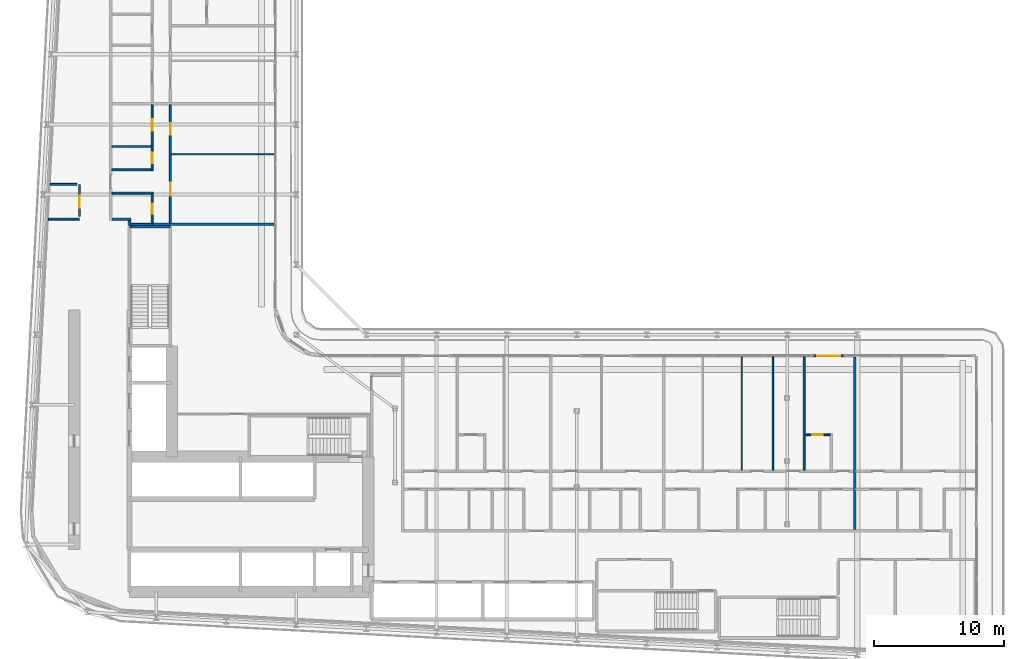
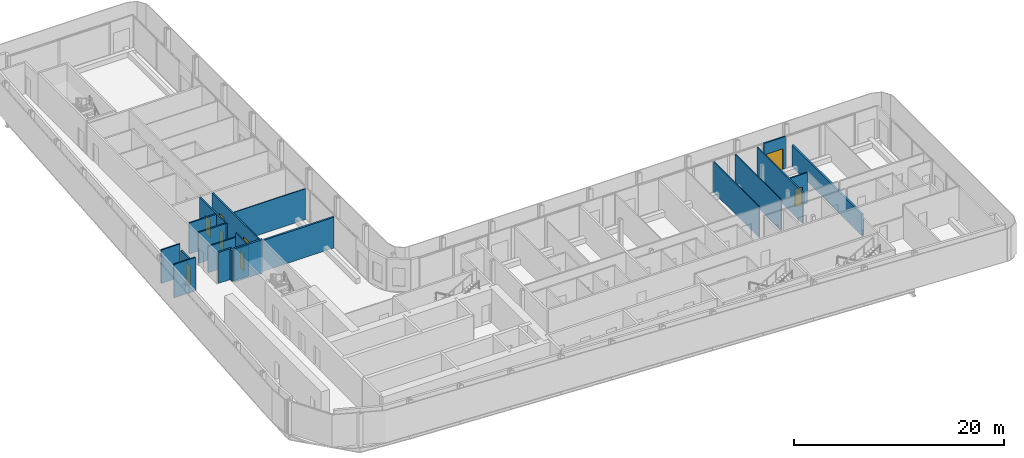
# One storey, part 15 of 25: 21 walls, 8 doors, 8 openings.
"""IFC4 building model written with IfcOpenShell, lengths in metres."""

from ifc_helpers import new_model, si_unit, direction, frame, frame_2d, origin, place, context, subcontext, project, spatial, rectangle, extrude, source, transform, mapped, material, layer, layer_set, type_object, element, fill, save


model = new_model("IFC4")

# Units and contexts
model_context = context("Model", 3, precision=1e-05, world=origin(), true_north=direction((0.0, 1.0)))
body_context = subcontext(model_context, "Body", "Model", "MODEL_VIEW")
ifc_project = project(units=[si_unit("LENGTHUNIT", "METRE"), si_unit("AREAUNIT", "SQUARE_METRE"), si_unit("VOLUMEUNIT", "CUBIC_METRE"), si_unit("PLANEANGLEUNIT", "RADIAN"), si_unit("MASSUNIT", "GRAM", prefix="KILO")], contexts=[model_context])

# Site, building, storey
site_placement = place(None, origin())
site = spatial("IfcSite", under=ifc_project, at=site_placement, CompositionType="ELEMENT")
building_placement = place(site_placement, origin())
building = spatial("IfcBuilding", under=site, at=building_placement, Name="Kheshtan School and Residences Tower", CompositionType="ELEMENT")
storey_placement = place(building_placement, frame((0.0, 0.0, 109.699951171875)))
storey = spatial("IfcBuildingStorey", under=building, at=storey_placement, Name="L25", CompositionType="ELEMENT", Elevation=109.699951171875)

# Walls
ifc_material_1 = material(Name="Gypsum board on steel studs with fire boards", Category="steel")
ifc_layer_1 = layer(ifc_material_1, 0.199951171875)
ifc_layer_set_1 = layer_set([ifc_layer_1], Name="Corridor wall 200")
wall_type_1 = type_object("IfcWallType", Name="Corridor wall 200", PredefinedType="PARTITIONING", material=ifc_layer_set_1)
wall_1_placement = place(storey_placement, frame((33.39990234375, 54.5, 0.0), z_axis=(0.0, 0.0, 1.0), x_axis=(1.0, 0.0, 0.0)))
element("IfcWall", 1, at=wall_1_placement, inside=storey, type_object=wall_type_1, Name="Partition L25-005", PredefinedType="PARTITIONING", context=body_context, shape_type="SweptSolid", body=[
    extrude(rectangle(XDim=1.4501953125, YDim=0.199951171875, at=frame_2d((0.72509765625, 0.0))), origin(), (0.0, 0.0, 1.0), 3.60009765625),
])
wall_2_placement = place(storey_placement, frame((34.75, 54.02490234375, 0.0), z_axis=(0.0, 0.0, 1.0), x_axis=(0.0, 1.0, 0.0)))
element("IfcWall", 2, at=wall_2_placement, inside=storey, type_object=wall_type_1, Name="Partition L25-014", PredefinedType="PARTITIONING", context=body_context, shape_type="SweptSolid", body=[
    extrude(rectangle(XDim=0.375, YDim=0.199951171875, at=frame_2d((0.1875, 0.0))), origin(), (0.0, 0.0, 1.0), 3.60009765625),
])

# Wall, opening, door
ifc_material_2 = material(Name="Aluminium frame wall with insulated infill", Category="aluminium")
ifc_layer_2 = layer(ifc_material_2, 0.14990234375)
ifc_layer_set_2 = layer_set([ifc_layer_2], Name="Glazing frame wall 150")
wall_type_2 = type_object("IfcWallType", Name="Glazing frame wall 150", PredefinedType="SOLIDWALL", material=ifc_layer_set_2)
wall_3_placement = place(storey_placement, frame((87.406005859375, 43.97509765625, 0.0), z_axis=(0.0, 0.0, 1.0), x_axis=(1.0, 0.0, 0.0)))
wall_3 = element("IfcWall", 3, at=wall_3_placement, inside=storey, type_object=wall_type_2, Name="Balcony door wall L25 8.4", PredefinedType="SOLIDWALL", context=body_context, shape_type="SweptSolid", body=[
    extrude(rectangle(XDim=2.39990234375, YDim=0.14990234375, at=frame_2d((1.199951171875, 0.0))), origin(), (0.0, 0.0, 1.0), 3.75),
])
opening_1_placement = place(wall_3_placement, frame((0.300048828125, 0.0, 0.0)))
opening_1 = element("IfcOpeningElement", 4, at=opening_1_placement, cuts=wall_3, Name="Opening BD", PredefinedType="OPENING", context=body_context, shape_type="SweptSolid", body=[
    extrude(rectangle(XDim=1.800048828125, YDim=2.39990234375, at=frame_2d((0.89990234375, 1.199951171875))), frame((0.0, 0.0849609375, 0.0), z_axis=(0.0, -1.0, 0.0), x_axis=(1.0, 0.0, 0.0)), (0.0, 0.0, 1.0), 0.169921875),
])
ifc_material_3 = material(Name="Clear low-e glass in thermally broken aluminium frame", Category="aluminium")
door_type_1 = type_object("IfcDoorType", Name="Balcony sliding door", OperationType="SLIDING_TO_LEFT", PredefinedType="DOOR", material=ifc_material_3)
shared_shape_1 = source(origin(), body_context, "Body", "SweptSolid", [
    extrude(rectangle(XDim=1.800048828125, YDim=2.39990234375, at=frame_2d((0.89990234375, 1.199951171875))), frame((0.0, 0.02490234375, 0.0), z_axis=(0.0, -1.0, 0.0), x_axis=(1.0, 0.0, 0.0)), (0.0, 0.0, 1.0), 0.050048828125),
])
door_1_placement = place(opening_1_placement, origin())
door_1 = element("IfcDoor", 5, at=door_1_placement, inside=storey, type_object=door_type_1, Name="Balcony door L25 8.4", OperationType="SLIDING_TO_LEFT", OverallHeight=2.39990234375, OverallWidth=1.800048828125, PredefinedType="DOOR", context=body_context, shape_type="MappedRepresentation", body=[
    mapped(shared_shape_1, transform((0.0, 0.0, 0.0), x_axis=(1.0, 0.0, 0.0), y_axis=(0.0, 1.0, 0.0), z_axis=(0.0, 0.0, 1.0), scale=1.0)),
])
fill(opening_1, door_1)

# Walls
ifc_material_4 = material(Name="Gypsum board on steel studs", Category="steel")
ifc_layer_3 = layer(ifc_material_4, 0.10009765625)
ifc_layer_set_3 = layer_set([ifc_layer_3], Name="Gypsum partition 100")
wall_type_3 = type_object("IfcWallType", Name="Gypsum partition 100", PredefinedType="PARTITIONING", material=ifc_layer_set_3)
wall_4_placement = place(storey_placement, frame((37.97509765625, 59.5, 0.0), z_axis=(0.0, 0.0, 1.0), x_axis=(1.0, 0.0, 0.0)))
element("IfcWall", 6, at=wall_4_placement, inside=storey, type_object=wall_type_3, Name="Partition L25-022", PredefinedType="PARTITIONING", context=body_context, shape_type="SweptSolid", body=[
    extrude(rectangle(XDim=7.9248046875, YDim=0.10009765625, at=frame_2d((3.96240234375, 0.0))), origin(), (0.0, 0.0, 1.0), 3.60009765625),
])
for number, where, z_axis, x_axis, name in (
    (7, (81.89990234375, 35.175048828125, 0.0), (0.0, 0.0, 1.0), (0.0, 1.0, 0.0), "Partition L25-058"),
    (8, (84.300048828125, 35.175048828125, 0.0), (0.0, 0.0, 1.0), (0.0, 1.0, 0.0), "Partition L25-060"),
):
    element("IfcWall", number, at=place(storey_placement, frame(where, z_axis=z_axis, x_axis=x_axis)), inside=storey, type_object=wall_type_3, Name=name, PredefinedType="PARTITIONING", context=body_context, shape_type="SweptSolid", body=[
        extrude(rectangle(XDim=8.724853515625, YDim=0.10009765625, at=frame_2d((4.3623046875, 0.0))), origin(), (0.0, 0.0, 1.0), 3.60009765625),
    ])
ifc_material_5 = material(Name="Fire-board shaft wall system")
ifc_layer_4 = layer(ifc_material_5, 0.14990234375)
ifc_layer_set_4 = layer_set([ifc_layer_4], Name="Service room wall 150")
wall_type_4 = type_object("IfcWallType", Name="Service room wall 150", PredefinedType="PARTITIONING", material=ifc_layer_set_4)
wall_5_placement = place(storey_placement, frame((28.508056640625, 54.5, 0.0), z_axis=(0.0, 0.0, 1.0), x_axis=(1.0, 0.0, 0.0)))
element("IfcWall", 9, at=wall_5_placement, inside=storey, type_object=wall_type_4, Name="Service room wall", PredefinedType="PARTITIONING", context=body_context, shape_type="SweptSolid", body=[
    extrude(rectangle(XDim=2.391845703125, YDim=0.14990234375, at=frame_2d((1.19580078125, 0.0))), origin(), (0.0, 0.0, 1.0), 3.900146484375),
])

# Wall, opening, door
wall_6_placement = place(storey_placement, frame((30.89990234375, 54.695068359375, 0.0), z_axis=(0.0, 0.0, 1.0), x_axis=(0.0, 1.0, 0.0)))
wall_6 = element("IfcWall", 10, at=wall_6_placement, inside=storey, type_object=wall_type_4, Name="Service room wall", PredefinedType="PARTITIONING", context=body_context, shape_type="SweptSolid", body=[
    extrude(rectangle(XDim=2.48681640625, YDim=0.14990234375, at=frame_2d((1.243408203125, 0.0))), origin(), (0.0, 0.0, 1.0), 3.072021484375),
])
opening_2_placement = place(wall_6_placement, frame((0.696044921875, 0.0, 0.0)))
opening_2 = element("IfcOpeningElement", 11, at=opening_2_placement, cuts=wall_6, Name="Opening SR90", PredefinedType="OPENING", context=body_context, shape_type="SweptSolid", body=[
    extrude(rectangle(XDim=0.89990234375, YDim=2.199951171875, at=frame_2d((0.449951171875, 1.10009765625))), frame((0.0, 0.0849609375, 0.0), z_axis=(0.0, -1.0, 0.0), x_axis=(1.0, 0.0, 0.0)), (0.0, 0.0, 1.0), 0.169921875),
])
ifc_material_6 = material(Name="Steel door leaf, galvanised", Category="steel")
door_type_2 = type_object("IfcDoorType", Name="Service room door 900 steel 90 min", OperationType="SINGLE_SWING_LEFT", PredefinedType="DOOR", material=ifc_material_6)
shared_shape_2 = source(origin(), body_context, "Body", "SweptSolid", [
    extrude(rectangle(XDim=0.89990234375, YDim=2.199951171875, at=frame_2d((0.449951171875, 1.10009765625))), frame((0.0, 0.02490234375, 0.0), z_axis=(0.0, -1.0, 0.0), x_axis=(1.0, 0.0, 0.0)), (0.0, 0.0, 1.0), 0.050048828125),
])
door_2_placement = place(opening_2_placement, origin())
door_2 = element("IfcDoor", 12, at=door_2_placement, inside=storey, type_object=door_type_2, Name="Service room door", OperationType="SINGLE_SWING_LEFT", OverallHeight=2.199951171875, OverallWidth=0.89990234375, PredefinedType="DOOR", context=body_context, shape_type="MappedRepresentation", body=[
    mapped(shared_shape_2, transform((0.0, 0.0, 0.0), x_axis=(1.0, 0.0, 0.0), y_axis=(0.0, 1.0, 0.0), z_axis=(0.0, 0.0, 1.0), scale=1.0)),
])
fill(opening_2, door_2)

# Walls
wall_7_placement = place(storey_placement, frame((28.64990234375, 57.181884765625, 0.0), z_axis=(0.0, 0.0, 1.0), x_axis=(1.0, 0.0, 0.0)))
element("IfcWall", 13, at=wall_7_placement, inside=storey, type_object=wall_type_4, Name="Service room wall", PredefinedType="PARTITIONING", context=body_context, shape_type="SweptSolid", body=[
    extrude(rectangle(XDim=2.05517578125, YDim=0.14990234375, at=frame_2d((1.027587890625, 0.0))), origin(), (0.0, 0.0, 1.0), 3.900146484375),
])
ifc_material_7 = material(Name="Concrete C40/50", Category="concrete")
ifc_layer_5 = layer(ifc_material_7, 0.199951171875)
ifc_layer_set_5 = layer_set([ifc_layer_5], Name="Stair enclosure wall 200 Concrete C40/50")
wall_type_5 = type_object("IfcWallType", Name="Stair enclosure wall 200 Concrete C40/50", PredefinedType="SHEAR", material=ifc_layer_set_5)
wall_8_placement = place(storey_placement, frame((34.75, 53.909912109375, 0.0), z_axis=(0.0, 0.0, 1.0), x_axis=(1.0, 0.0, 0.0)))
element("IfcWall", 14, at=wall_8_placement, inside=storey, type_object=wall_type_5, Name="Stair enclosure wall ST2", PredefinedType="SHEAR", context=body_context, shape_type="SweptSolid", body=[
    extrude(rectangle(XDim=3.14990234375, YDim=0.199951171875, at=frame_2d((1.574951171875, 0.0))), origin(), (0.0, 0.0, 1.0), 3.900146484375),
])
ifc_material_8 = material(Name="Twin gypsum board on steel studs with mineral wool", Category="steel")
ifc_layer_6 = layer(ifc_material_8, 0.199951171875)
ifc_layer_set_6 = layer_set([ifc_layer_6], Name="Unit demising wall 200")
wall_type_6 = type_object("IfcWallType", Name="Unit demising wall 200", PredefinedType="PARTITIONING", material=ifc_layer_set_6)
wall_9_placement = place(storey_placement, frame((36.5, 54.10009765625, 0.0), z_axis=(0.0, 0.0, 1.0), x_axis=(1.0, 0.0, 0.0)))
element("IfcWall", 15, at=wall_9_placement, inside=storey, type_object=wall_type_6, Name="Partition L25-016", PredefinedType="PARTITIONING", context=body_context, shape_type="SweptSolid", body=[
    extrude(rectangle(XDim=9.39990234375, YDim=0.199951171875, at=frame_2d((4.699951171875, 0.0))), origin(), (0.0, 0.0, 1.0), 3.60009765625),
])
wall_10_placement = place(storey_placement, frame((90.60009765625, 30.60009765625, 0.0), z_axis=(0.0, 0.0, 1.0), x_axis=(0.0, 1.0, 0.0)))
element("IfcWall", 16, at=wall_10_placement, inside=storey, type_object=wall_type_6, Name="Partition L25-065", PredefinedType="PARTITIONING", context=body_context, shape_type="SweptSolid", body=[
    extrude(rectangle(XDim=13.2998046875, YDim=0.199951171875, at=frame_2d((6.64990234375, 0.0))), origin(), (0.0, 0.0, 1.0), 2.5),
])
ifc_material_9 = material(Name="Moisture-resistant gypsum board on steel studs", Category="steel")
ifc_layer_7 = layer(ifc_material_9, 0.14990234375)
ifc_layer_set_7 = layer_set([ifc_layer_7], Name="Wet-room partition 150")
wall_type_7 = type_object("IfcWallType", Name="Wet-room partition 150", PredefinedType="PARTITIONING", material=ifc_layer_set_7)
wall_11_placement = place(storey_placement, frame((33.39990234375, 56.5, 0.0), z_axis=(0.0, 0.0, 1.0), x_axis=(1.0, 0.0, 0.0)))
element("IfcWall", 17, at=wall_11_placement, inside=storey, type_object=wall_type_7, Name="Partition L25-006", PredefinedType="PARTITIONING", context=body_context, shape_type="SweptSolid", body=[
    extrude(rectangle(XDim=3.175048828125, YDim=0.14990234375, at=frame_2d((1.58740234375, 0.0))), origin(), (0.0, 0.0, 1.0), 3.072021484375),
])
for number, where, z_axis, x_axis, name in (
    (18, (33.39990234375, 58.300048828125, 0.0), (0.0, 0.0, 1.0), (1.0, 0.0, 0.0), "Partition L25-007"),
    (19, (33.39990234375, 60.10009765625, 0.0), (0.0, 0.0, 1.0), (1.0, 0.0, 0.0), "Partition L25-008"),
):
    element("IfcWall", number, at=place(storey_placement, frame(where, z_axis=z_axis, x_axis=x_axis)), inside=storey, type_object=wall_type_7, Name=name, PredefinedType="PARTITIONING", context=body_context, shape_type="SweptSolid", body=[
        extrude(rectangle(XDim=3.025146484375, YDim=0.14990234375, at=frame_2d((1.5126953125, 0.0))), origin(), (0.0, 0.0, 1.0), 3.60009765625),
    ])
wall_12_placement = place(storey_placement, frame((34.85009765625, 54.10009765625, 0.0), z_axis=(0.0, 0.0, 1.0), x_axis=(1.0, 0.0, 0.0)))
element("IfcWall", 20, at=wall_12_placement, inside=storey, type_object=wall_type_7, Name="Partition L25-015", PredefinedType="PARTITIONING", context=body_context, shape_type="SweptSolid", body=[
    extrude(rectangle(XDim=1.64990234375, YDim=0.14990234375, at=frame_2d((0.824951171875, 0.0))), origin(), (0.0, 0.0, 1.0), 3.60009765625),
])

# Wall, opening, door
wall_13_placement = place(storey_placement, frame((36.5, 54.199951171875, 0.0), z_axis=(0.0, 0.0, 1.0), x_axis=(0.0, 1.0, 0.0)))
wall_13 = element("IfcWall", 21, at=wall_13_placement, inside=storey, type_object=wall_type_7, Name="Partition L25-017", PredefinedType="PARTITIONING", context=body_context, shape_type="SweptSolid", body=[
    extrude(rectangle(XDim=2.22509765625, YDim=0.14990234375, at=frame_2d((1.112548828125, 0.0))), origin(), (0.0, 0.0, 1.0), 3.60009765625),
])
opening_3_placement = place(wall_13_placement, frame((0.699951171875, 0.0, 0.0)))
opening_3 = element("IfcOpeningElement", 22, at=opening_3_placement, cuts=wall_13, Name="Opening D25-033", PredefinedType="OPENING", context=body_context, shape_type="SweptSolid", body=[
    extrude(rectangle(XDim=0.800048828125, YDim=2.10009765625, at=frame_2d((0.39990234375, 1.050048828125))), frame((0.0, 0.0849609375, 0.0), z_axis=(0.0, -1.0, 0.0), x_axis=(1.0, 0.0, 0.0)), (0.0, 0.0, 1.0), 0.169921875),
])
ifc_material_10 = material(Name="Veneered timber door leaf", Category="wood")
door_type_3 = type_object("IfcDoorType", Name="Door 800 x 2100", OperationType="SINGLE_SWING_LEFT", PredefinedType="DOOR", material=ifc_material_10)
shared_shape_3 = source(origin(), body_context, "Body", "SweptSolid", [
    extrude(rectangle(XDim=0.800048828125, YDim=2.10009765625, at=frame_2d((0.39990234375, 1.050048828125))), frame((0.0, 0.02490234375, 0.0), z_axis=(0.0, -1.0, 0.0), x_axis=(1.0, 0.0, 0.0)), (0.0, 0.0, 1.0), 0.050048828125),
])
door_3_placement = place(opening_3_placement, origin())
door_3 = element("IfcDoor", 23, at=door_3_placement, inside=storey, type_object=door_type_3, Name="Door D25-033", OperationType="SINGLE_SWING_LEFT", OverallHeight=2.10009765625, OverallWidth=0.800048828125, PredefinedType="DOOR", context=body_context, shape_type="MappedRepresentation", body=[
    mapped(shared_shape_3, transform((0.0, 0.0, 0.0), x_axis=(1.0, 0.0, 0.0), y_axis=(0.0, 1.0, 0.0), z_axis=(0.0, 0.0, 1.0), scale=1.0)),
])
fill(opening_3, door_3)

# Wall, openings, doors
wall_14_placement = place(storey_placement, frame((36.5, 58.22509765625, 0.0), z_axis=(0.0, 0.0, 1.0), x_axis=(0.0, 1.0, 0.0)))
wall_14 = element("IfcWall", 24, at=wall_14_placement, inside=storey, type_object=wall_type_7, Name="Partition L25-018", PredefinedType="PARTITIONING", context=body_context, shape_type="SweptSolid", body=[
    extrude(rectangle(XDim=5.074951171875, YDim=0.14990234375, at=frame_2d((2.53759765625, 0.0))), origin(), (0.0, 0.0, 1.0), 3.60009765625),
])
opening_4_placement = place(wall_14_placement, frame((3.074951171875, 0.0, 0.0)))
opening_4 = element("IfcOpeningElement", 25, at=opening_4_placement, cuts=wall_14, Name="Opening D25-036", PredefinedType="OPENING", context=body_context, shape_type="SweptSolid", body=[
    extrude(rectangle(XDim=0.89990234375, YDim=2.10009765625, at=frame_2d((0.449951171875, 1.050048828125))), frame((0.0, 0.0849609375, 0.0), z_axis=(0.0, -1.0, 0.0), x_axis=(1.0, 0.0, 0.0)), (0.0, 0.0, 1.0), 0.169921875),
])
opening_5_placement = place(wall_14_placement, frame((0.574951171875, 0.0, 0.0)))
opening_5 = element("IfcOpeningElement", 26, at=opening_5_placement, cuts=wall_14, Name="Opening D25-038", PredefinedType="OPENING", context=body_context, shape_type="SweptSolid", body=[
    extrude(rectangle(XDim=0.800048828125, YDim=2.10009765625, at=frame_2d((0.39990234375, 1.050048828125))), frame((0.0, 0.0849609375, 0.0), z_axis=(0.0, -1.0, 0.0), x_axis=(1.0, 0.0, 0.0)), (0.0, 0.0, 1.0), 0.169921875),
])
door_4_placement = place(opening_5_placement, origin())
door_4 = element("IfcDoor", 27, at=door_4_placement, inside=storey, type_object=door_type_3, Name="Door D25-038", OperationType="SINGLE_SWING_RIGHT", OverallHeight=2.10009765625, OverallWidth=0.800048828125, PredefinedType="DOOR", context=body_context, shape_type="MappedRepresentation", body=[
    mapped(shared_shape_3, transform((0.0, 0.0, 0.0), x_axis=(1.0, 0.0, 0.0), y_axis=(0.0, 1.0, 0.0), z_axis=(0.0, 0.0, 1.0), scale=1.0)),
])
fill(opening_5, door_4)
door_type_4 = type_object("IfcDoorType", Name="Door 900 x 2100", OperationType="SINGLE_SWING_LEFT", PredefinedType="DOOR", material=ifc_material_10)
shared_shape_4 = source(origin(), body_context, "Body", "SweptSolid", [
    extrude(rectangle(XDim=0.89990234375, YDim=2.10009765625, at=frame_2d((0.449951171875, 1.050048828125))), frame((0.0, 0.02490234375, 0.0), z_axis=(0.0, -1.0, 0.0), x_axis=(1.0, 0.0, 0.0)), (0.0, 0.0, 1.0), 0.050048828125),
])
door_5_placement = place(opening_4_placement, origin())
door_5 = element("IfcDoor", 28, at=door_5_placement, inside=storey, type_object=door_type_4, Name="Door D25-036", OperationType="SINGLE_SWING_LEFT", OverallHeight=2.10009765625, OverallWidth=0.89990234375, PredefinedType="DOOR", context=body_context, shape_type="MappedRepresentation", body=[
    mapped(shared_shape_4, transform((0.0, 0.0, 0.0), x_axis=(1.0, 0.0, 0.0), y_axis=(0.0, 1.0, 0.0), z_axis=(0.0, 0.0, 1.0), scale=1.0)),
])
fill(opening_4, door_5)

wall_15_placement = place(storey_placement, frame((37.89990234375, 54.199951171875, 0.0), z_axis=(0.0, 0.0, 1.0), x_axis=(0.0, 1.0, 0.0)))
wall_15 = element("IfcWall", 29, at=wall_15_placement, inside=storey, type_object=wall_type_7, Name="Partition L25-020", PredefinedType="PARTITIONING", context=body_context, shape_type="SweptSolid", body=[
    extrude(rectangle(XDim=9.10009765625, YDim=0.14990234375, at=frame_2d((4.550048828125, 0.0))), origin(), (0.0, 0.0, 1.0), 3.60009765625),
])
opening_6_placement = place(wall_15_placement, frame((6.800048828125, 0.0, 0.0)))
opening_6 = element("IfcOpeningElement", 30, at=opening_6_placement, cuts=wall_15, Name="Opening D25-034", PredefinedType="OPENING", context=body_context, shape_type="SweptSolid", body=[
    extrude(rectangle(XDim=0.89990234375, YDim=2.10009765625, at=frame_2d((0.449951171875, 1.050048828125))), frame((0.0, 0.0849609375, 0.0), z_axis=(0.0, -1.0, 0.0), x_axis=(1.0, 0.0, 0.0)), (0.0, 0.0, 1.0), 0.169921875),
])
opening_7_placement = place(wall_15_placement, frame((2.10009765625, 0.0, 0.0)))
opening_7 = element("IfcOpeningElement", 31, at=opening_7_placement, cuts=wall_15, Name="Opening D25-037", PredefinedType="OPENING", context=body_context, shape_type="SweptSolid", body=[
    extrude(rectangle(XDim=1.0, YDim=2.10009765625, at=frame_2d((0.5, 1.050048828125))), frame((0.0, 0.0849609375, 0.0), z_axis=(0.0, -1.0, 0.0), x_axis=(1.0, 0.0, 0.0)), (0.0, 0.0, 1.0), 0.169921875),
])
door_type_5 = type_object("IfcDoorType", Name="Door 1000 x 2100", OperationType="SINGLE_SWING_LEFT", PredefinedType="DOOR", material=ifc_material_10)
shared_shape_5 = source(origin(), body_context, "Body", "SweptSolid", [
    extrude(rectangle(XDim=1.0, YDim=2.10009765625, at=frame_2d((0.5, 1.050048828125))), frame((0.0, 0.02490234375, 0.0), z_axis=(0.0, -1.0, 0.0), x_axis=(1.0, 0.0, 0.0)), (0.0, 0.0, 1.0), 0.050048828125),
])
door_6_placement = place(opening_7_placement, origin())
door_6 = element("IfcDoor", 32, at=door_6_placement, inside=storey, type_object=door_type_5, Name="Door D25-037", OperationType="SINGLE_SWING_LEFT", OverallHeight=2.10009765625, OverallWidth=1.0, PredefinedType="DOOR", context=body_context, shape_type="MappedRepresentation", body=[
    mapped(shared_shape_5, transform((0.0, 0.0, 0.0), x_axis=(1.0, 0.0, 0.0), y_axis=(0.0, 1.0, 0.0), z_axis=(0.0, 0.0, 1.0), scale=1.0)),
])
fill(opening_7, door_6)
door_7_placement = place(opening_6_placement, origin())
door_7 = element("IfcDoor", 33, at=door_7_placement, inside=storey, type_object=door_type_4, Name="Door D25-034", OperationType="SINGLE_SWING_RIGHT", OverallHeight=2.10009765625, OverallWidth=0.89990234375, PredefinedType="DOOR", context=body_context, shape_type="MappedRepresentation", body=[
    mapped(shared_shape_4, transform((0.0, 0.0, 0.0), x_axis=(1.0, 0.0, 0.0), y_axis=(0.0, 1.0, 0.0), z_axis=(0.0, 0.0, 1.0), scale=1.0)),
])
fill(opening_6, door_7)

# Wall
wall_16_placement = place(storey_placement, frame((86.699951171875, 35.175048828125, 0.0), z_axis=(0.0, 0.0, 1.0), x_axis=(0.0, 1.0, 0.0)))
element("IfcWall", 34, at=wall_16_placement, inside=storey, type_object=wall_type_7, Name="Partition L25-061", PredefinedType="PARTITIONING", context=body_context, shape_type="SweptSolid", body=[
    extrude(rectangle(XDim=8.724853515625, YDim=0.14990234375, at=frame_2d((4.3623046875, 0.0))), origin(), (0.0, 0.0, 1.0), 3.60009765625),
])

# Wall, opening, door
wall_17_placement = place(storey_placement, frame((86.77490234375, 37.89990234375, 0.0), z_axis=(0.0, 0.0, 1.0), x_axis=(1.0, 0.0, 0.0)))
wall_17 = element("IfcWall", 35, at=wall_17_placement, inside=storey, type_object=wall_type_7, Name="Partition L25-062", PredefinedType="PARTITIONING", context=body_context, shape_type="SweptSolid", body=[
    extrude(rectangle(XDim=1.9501953125, YDim=0.14990234375, at=frame_2d((0.97509765625, 0.0))), origin(), (0.0, 0.0, 1.0), 3.60009765625),
])
opening_8_placement = place(wall_17_placement, frame((0.574951171875, 0.0, 0.0)))
opening_8 = element("IfcOpeningElement", 36, at=opening_8_placement, cuts=wall_17, Name="Opening D25-020", PredefinedType="OPENING", context=body_context, shape_type="SweptSolid", body=[
    extrude(rectangle(XDim=0.800048828125, YDim=2.10009765625, at=frame_2d((0.39990234375, 1.050048828125))), frame((0.0, 0.0849609375, 0.0), z_axis=(0.0, -1.0, 0.0), x_axis=(1.0, 0.0, 0.0)), (0.0, 0.0, 1.0), 0.169921875),
])
door_8_placement = place(opening_8_placement, origin())
door_8 = element("IfcDoor", 37, at=door_8_placement, inside=storey, type_object=door_type_3, Name="Door D25-020", OperationType="SINGLE_SWING_LEFT", OverallHeight=2.10009765625, OverallWidth=0.800048828125, PredefinedType="DOOR", context=body_context, shape_type="MappedRepresentation", body=[
    mapped(shared_shape_3, transform((0.0, 0.0, 0.0), x_axis=(1.0, 0.0, 0.0), y_axis=(0.0, 1.0, 0.0), z_axis=(0.0, 0.0, 1.0), scale=1.0)),
])
fill(opening_8, door_8)

save(model, "model.ifc")
